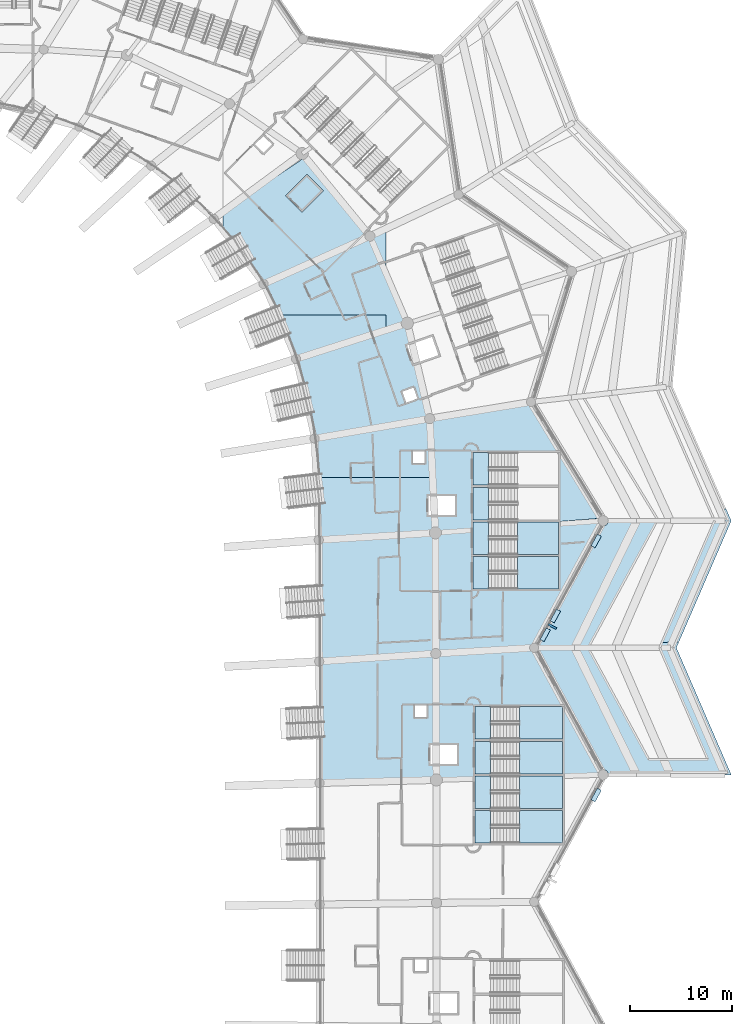
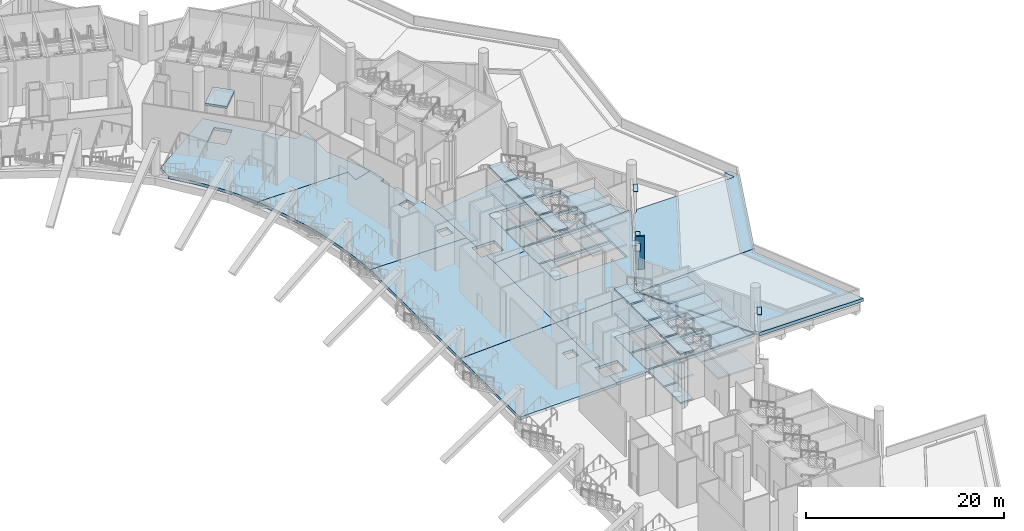
# One storey, part 37 of 173: 46 slabs, 5 plates, 8 elements without a shape of their own.
"""IFC4 building model written with IfcOpenShell, lengths in metres."""

from ifc_helpers import new_model, si_unit, direction, frame, origin, origin_2d, place, context, subcontext, project, spatial, polyline, rectangle, outline, extrude, material, layer, layer_set, type_object, element, aggregate, save


model = new_model("IFC4")

# Units and contexts
model_context = context("Model", 3, precision=1e-05, world=origin(), true_north=direction((0.0, 1.0)))
body_context = subcontext(model_context, "Body", "Model", "MODEL_VIEW")
ifc_project = project(units=[si_unit("LENGTHUNIT", "METRE"), si_unit("AREAUNIT", "SQUARE_METRE"), si_unit("VOLUMEUNIT", "CUBIC_METRE"), si_unit("PLANEANGLEUNIT", "RADIAN"), si_unit("MASSUNIT", "GRAM", prefix="KILO")], contexts=[model_context])

# Site, building, storey
site_placement = place(None, origin())
site = spatial("IfcSite", under=ifc_project, at=site_placement, CompositionType="ELEMENT")
building_placement = place(site_placement, origin())
building = spatial("IfcBuilding", under=site, at=building_placement, Name="Meseta Stadium", CompositionType="ELEMENT")
storey_placement = place(building_placement, frame((0.0, 0.0, 18.0)))
storey = spatial("IfcBuildingStorey", under=building, at=storey_placement, Name="L03", CompositionType="ELEMENT", Elevation=18.0)

# Slabs
ifc_material_1 = material(Name="Concrete C40/50", Category="concrete")
ifc_layer_1 = layer(ifc_material_1, 0.25)
ifc_layer_set_1 = layer_set([ifc_layer_1], Name="Core roof slab 250")
slab_type_1 = type_object("IfcSlabType", Name="Core roof slab 250", PredefinedType="ROOF", material=ifc_layer_set_1)
slab_1_placement = place(storey_placement, frame((0.0, 0.0, 4.60009765625)))
element("IfcSlab", 1, at=slab_1_placement, inside=storey, type_object=slab_type_1, Name="Core 07 lift overrun roof", PredefinedType="ROOF", context=body_context, shape_type="SweptSolid", body=[
    extrude(outline(polyline([(73.867431640625, 76.2412109375), (71.74609375, 74.119873046875), (70.119873046875, 75.74609375), (72.2412109375, 77.867431640625), (73.867431640625, 76.2412109375)])), origin(), (0.0, 0.0, 1.0), 0.25),
])
ifc_material_2 = material(Name="Concrete C40/50", Category="concrete")
ifc_layer_2 = layer(ifc_material_2, 0.35009765625)
ifc_layer_set_2 = layer_set([ifc_layer_2], Name="Floor slab 350")
slab_type_2 = type_object("IfcSlabType", Name="Floor slab 350", PredefinedType="FLOOR", material=ifc_layer_set_2)
slab_2_placement = place(storey_placement, frame((0.0, 0.0, -0.35009765625)))
element("IfcSlab", 2, at=slab_2_placement, inside=storey, type_object=slab_type_2, Name="Floor slab L03 sector 00 panel 02", PredefinedType="FLOOR", context=body_context, shape_type="SweptSolid", body=[
    extrude(outline(polyline([(84.39990234375, 21.699951171875), (84.9638671875, 21.699951171875), (84.926025390625, 30.523193359375), (73.451416015625, 29.89404296875), (73.46875, 23.924072265625), (73.482421875, 17.943603515625), (84.978515625, 18.24365234375), (84.971923828125, 19.800048828125), (84.39990234375, 19.800048828125), (84.39990234375, 21.699951171875)]), holes=[polyline([(84.050048828125, 25.60009765625), (84.050048828125, 24.39990234375), (82.85009765625, 24.39990234375), (82.85009765625, 25.60009765625), (84.050048828125, 25.60009765625)])]), origin(), (0.0, 0.0, 1.0), 0.35009765625),
])
slab_3_placement = place(storey_placement, frame((0.0, 0.0, -0.35009765625)))
element("IfcSlab", 3, at=slab_3_placement, inside=storey, type_object=slab_type_2, Name="Floor slab L03 sector 00 panel 12", PredefinedType="FLOOR", context=body_context, shape_type="SweptSolid", body=[
    extrude(outline(polyline([(94.70361328125, 31.059326171875), (84.926025390625, 30.523193359375), (84.9638671875, 21.699951171875), (87.0, 21.699951171875), (87.0, 19.800048828125), (84.971923828125, 19.800048828125), (84.978271484375, 18.32177734375), (88.800048828125, 18.447509765625), (88.800048828125, 18.64990234375), (94.9599609375, 18.64990234375), (101.340087890625, 18.85986328125), (94.70361328125, 31.059326171875)]), holes=[polyline([(97.39990234375, 18.85009765625), (88.800048828125, 18.85009765625), (88.800048828125, 22.050048828125), (97.39990234375, 22.050048828125), (97.39990234375, 18.85009765625)]), polyline([(88.800048828125, 22.25), (88.800048828125, 25.449951171875), (97.39990234375, 25.449951171875), (97.39990234375, 22.25), (88.800048828125, 22.25)])]), origin(), (0.0, 0.0, 1.0), 0.35009765625),
])
slab_4_placement = place(storey_placement, frame((0.0, 0.0, -0.35009765625)))
element("IfcSlab", 4, at=slab_4_placement, inside=storey, type_object=slab_type_2, Name="Floor slab L03 sector 07 panel 04", PredefinedType="FLOOR", context=body_context, shape_type="SweptSolid", body=[
    extrude(outline(polyline([(69.494384765625, 64.0), (80.0, 64.0), (80.0, 62.44580078125), (82.137451171875, 63.115966796875), (82.119873046875, 63.191162109375), (80.0, 68.13232421875), (80.0, 72.48828125), (78.4453125, 71.756103515625), (72.06103515625, 79.54052734375), (64.0, 74.098876953125), (64.0, 72.451904296875), (64.85400390625, 71.450927734375), (65.69189453125, 70.39501953125), (66.491455078125, 69.31005859375), (67.251953125, 68.197021484375), (67.972412109375, 67.057861328125), (68.610595703125, 65.875), (69.19580078125, 64.66650390625), (69.494384765625, 64.0)]), holes=[polyline([(73.584716796875, 76.2412109375), (71.74609375, 74.402587890625), (70.402587890625, 75.74609375), (72.2412109375, 77.584716796875), (73.584716796875, 76.2412109375)])]), origin(), (0.0, 0.0, 1.0), 0.35009765625),
])
slab_5_placement = place(storey_placement, frame((0.0, 0.0, -0.35009765625)))
element("IfcSlab", 5, at=slab_5_placement, inside=storey, type_object=slab_type_2, Name="Floor slab L03 sector 07 panel 05", PredefinedType="FLOOR", context=body_context, shape_type="SweptSolid", body=[
    extrude(outline(polyline([(69.494384765625, 64.0), (69.74462890625, 63.441162109375), (70.2568359375, 62.20068359375), (70.73193359375, 60.945556640625), (71.169677734375, 59.67724609375), (71.569580078125, 58.396484375), (71.931396484375, 57.104736328125), (72.2548828125, 55.802978515625), (72.539794921875, 54.491943359375), (72.785400390625, 53.1728515625), (72.9921875, 51.84716796875), (73.15966796875, 50.515625), (73.287353515625, 49.1796875), (73.365234375, 48.0), (84.613525390625, 48.0), (84.3251953125, 53.801513671875), (83.032958984375, 59.30322265625), (82.723876953125, 59.195068359375), (82.09619140625, 60.988525390625), (82.59619140625, 61.163330078125), (82.137451171875, 63.115966796875), (80.0, 62.44580078125), (80.0, 64.0), (69.494384765625, 64.0)]), holes=[polyline([(82.74267578125, 56.870849609375), (83.138916015625, 55.73828125), (82.006103515625, 55.341796875), (81.60986328125, 56.474609375), (82.74267578125, 56.870849609375)]), polyline([(83.85009765625, 49.39990234375), (82.64990234375, 49.39990234375), (82.64990234375, 50.60009765625), (83.85009765625, 50.60009765625), (83.85009765625, 49.39990234375)])]), origin(), (0.0, 0.0, 1.0), 0.35009765625),
])
slab_6_placement = place(storey_placement, frame((0.0, 0.0, -0.35009765625)))
element("IfcSlab", 6, at=slab_6_placement, inside=storey, type_object=slab_type_2, Name="Floor slab L03 sector 07 panel 07", PredefinedType="FLOOR", context=body_context, shape_type="SweptSolid", body=[
    extrude(outline(polyline([(73.365234375, 48.0), (73.375732421875, 47.840087890625), (73.40478515625, 41.8623046875), (73.421875, 37.87646484375), (73.451416015625, 29.9140625), (84.92578125, 30.543212890625), (84.884033203125, 42.5615234375), (84.797607421875, 44.300048828125), (84.199951171875, 44.300048828125), (84.199951171875, 46.199951171875), (84.703125, 46.199951171875), (84.613525390625, 48.0), (73.365234375, 48.0)])), origin(), (0.0, 0.0, 1.0), 0.35009765625),
])
slab_7_placement = place(storey_placement, frame((0.0, 0.0, -0.35009765625)))
element("IfcSlab", 7, at=slab_7_placement, inside=storey, type_object=slab_type_2, Name="Floor slab L03 sector 07 panel 11", PredefinedType="FLOOR", context=body_context, shape_type="SweptSolid", body=[
    extrude(outline(polyline([(101.24853515625, 43.999267578125), (94.29443359375, 55.44140625), (84.3251953125, 53.801513671875), (84.703125, 46.199951171875), (86.800048828125, 46.199951171875), (86.800048828125, 44.300048828125), (84.797607421875, 44.300048828125), (84.875, 42.74267578125), (88.60009765625, 43.028564453125), (88.60009765625, 43.64990234375), (96.697021484375, 43.64990234375), (101.24853515625, 43.999267578125)]), holes=[polyline([(88.60009765625, 50.449951171875), (97.0, 50.449951171875), (97.0, 47.25), (88.60009765625, 47.25), (88.60009765625, 50.449951171875)]), polyline([(88.60009765625, 43.85009765625), (88.60009765625, 47.050048828125), (97.0, 47.050048828125), (97.0, 43.85009765625), (88.60009765625, 43.85009765625)])]), origin(), (0.0, 0.0, 1.0), 0.35009765625),
])
slab_8_placement = place(storey_placement, frame((0.0, 0.0, -0.35009765625)))
element("IfcSlab", 8, at=slab_8_placement, inside=storey, type_object=slab_type_2, Name="Floor slab L03 sector 07 panel 12", PredefinedType="FLOOR", context=body_context, shape_type="SweptSolid", body=[
    extrude(outline(polyline([(84.884033203125, 42.5615234375), (84.92578125, 30.543212890625), (94.693115234375, 31.07861328125), (94.60009765625, 31.25), (101.39990234375, 43.75), (101.24853515625, 43.999267578125), (96.697021484375, 43.64990234375), (97.0, 43.64990234375), (97.0, 40.449951171875), (88.60009765625, 40.449951171875), (88.60009765625, 43.028564453125), (84.875, 42.74267578125), (84.884033203125, 42.5615234375)]), holes=[polyline([(88.60009765625, 37.050048828125), (88.60009765625, 40.25), (97.0, 40.25), (97.0, 37.050048828125), (88.60009765625, 37.050048828125)])]), origin(), (0.0, 0.0, 1.0), 0.35009765625),
])

# Plates
ifc_material_3 = material(Name="White precast concrete C40/50", Category="concrete")
ifc_layer_3 = layer(ifc_material_3, 0.080078125)
ifc_layer_set_3 = layer_set([ifc_layer_3], Name="Louvre hood 1300x450")
plate_type_1 = type_object("IfcPlateType", Name="Louvre hood 1300x450", PredefinedType="USERDEFINED", material=ifc_layer_set_3)
for number, where, z_axis, x_axis, name in (
    (9, (100.713623046875, 16.755615234375, 4.25), (0.0, 0.0, 1.0), (0.477867090202, 0.878432151109, 0.0), "Louvre hood L03 F05"),
    (10, (95.696044921875, 32.5322265625, 4.25), (0.0, 0.0, 1.0), (0.477867090202, 0.878432151109, 0.0), "Louvre hood L03 F07"),
    (11, (96.699462890625, 34.376953125, 4.25), (0.0, 0.0, 1.0), (0.477867090202, 0.878432151109, 0.0), "Louvre hood L03 F07"),
    (12, (100.713623046875, 41.755615234375, 4.25), (0.0, 0.0, 1.0), (0.477867090202, 0.878432151109, 0.0), "Louvre hood L03 F07"),
):
    element("IfcPlate", number, at=place(storey_placement, frame(where, z_axis=z_axis, x_axis=x_axis)), inside=storey, type_object=plate_type_1, Name=name, ObjectType="LOUVRE", PredefinedType="USERDEFINED", context=body_context, shape_type="SweptSolid", body=[
        extrude(rectangle(XDim=1.300048828125, YDim=0.449951171875, at=origin_2d()), origin(), (0.0, 0.0, 1.0), 0.080078125),
    ])
ifc_material_4 = material(Name="Precast concrete C40/50, terracotta pigment", Category="masonry")
ifc_layer_4 = layer(ifc_material_4, 0.199951171875)
ifc_layer_set_4 = layer_set([ifc_layer_4], Name="Precast concrete C40/50, terracotta pigment")
plate_type_2 = type_object("IfcPlateType", Name="Precast fin 200x900", PredefinedType="USERDEFINED", material=ifc_layer_set_4)
plate_placement = place(storey_placement, frame((96.395263671875, 33.346923828125, 0.9501953125), z_axis=(0.0, 0.0, 1.0), x_axis=(-0.47786723231, -0.878432073802, 0.0)))
element("IfcPlate", 13, at=plate_placement, inside=storey, type_object=plate_type_2, Name="Precast fin L03 F07.2", ObjectType="FIN", PredefinedType="USERDEFINED", context=body_context, shape_type="SweptSolid", body=[
    extrude(rectangle(XDim=0.199951171875, YDim=0.89990234375, at=origin_2d()), origin(), (0.0, 0.0, 1.0), 4.050048828125),
])

# Slabs
ifc_material_5 = material(Name="Concrete C40/50", Category="concrete")
ifc_layer_5 = layer(ifc_material_5, 0.39990234375)
ifc_layer_set_5 = layer_set([ifc_layer_5], Name="Roof garden slab 400")
slab_type_3 = type_object("IfcSlabType", Name="Roof garden slab 400", PredefinedType="ROOF", material=ifc_layer_set_5)
slab_9_placement = place(storey_placement, frame((0.0, 0.0, -0.39990234375)))
element("IfcSlab", 14, at=slab_9_placement, inside=storey, type_object=slab_type_3, Name="Roof garden slab 1 part 1 panel 08", PredefinedType="ROOF", context=body_context, shape_type="SweptSolid", body=[
    extrude(outline(polyline([(101.652099609375, 43.313232421875), (101.530517578125, 43.262939453125), (101.39990234375, 43.24560546875), (101.30322265625, 43.25830078125), (94.935302734375, 31.55224609375), (94.9931640625, 31.476806640625), (95.038330078125, 31.367431640625), (95.053955078125, 31.25), (95.038330078125, 31.132568359375), (95.023681640625, 31.0966796875), (108.861572265625, 31.85546875), (114.0, 43.75), (113.480712890625, 44.938232421875), (112.898193359375, 44.8935546875), (113.39990234375, 43.75), (101.904296875, 43.75), (101.88720703125, 43.619384765625), (101.836669921875, 43.497802734375), (101.756591796875, 43.393310546875), (101.652099609375, 43.313232421875)])), origin(), (0.0, 0.0, 1.0), 0.39990234375),
])
slab_10_placement = place(storey_placement, frame((0.0, 0.0, -0.39990234375)))
element("IfcSlab", 15, at=slab_10_placement, inside=storey, type_object=slab_type_3, Name="Roof garden slab 1 part 2", PredefinedType="ROOF", context=body_context, shape_type="SweptSolid", body=[
    extrude(outline(polyline([(108.60009765625, 31.25), (108.852783203125, 31.8349609375), (95.01513671875, 31.076416015625), (94.9931640625, 31.023193359375), (94.935302734375, 30.94775390625), (101.30322265625, 19.24169921875), (101.39990234375, 19.25439453125), (101.530517578125, 19.237060546875), (101.652099609375, 19.186767578125), (101.756591796875, 19.106689453125), (101.836669921875, 19.002197265625), (101.88720703125, 18.880615234375), (101.904296875, 18.75), (114.0, 18.75), (108.60009765625, 31.25)])), origin(), (0.0, 0.0, 1.0), 0.39990234375),
])

# Stair, slabs
ifc_material_6 = material(Name="Concrete C40/50", Category="concrete")
stair_type = type_object("IfcStairType", Name="Exit stair 4 flights 150 mm risers", PredefinedType="HALF_TURN_STAIR", material=ifc_material_6)
stair_1_placement = place(storey_placement, origin())
stair_1 = element("IfcStair", 16, at=stair_1_placement, inside=storey, type_object=stair_type, Name="ST13 L03", PredefinedType="HALF_TURN_STAIR")
ifc_material_7 = material(Name="Concrete C40/50", Category="concrete")
ifc_layer_6 = layer(ifc_material_7, 0.199951171875)
ifc_layer_set_6 = layer_set([ifc_layer_6], Name="Stair landing 200")
slab_type_4 = type_object("IfcSlabType", Name="Stair landing 200", PredefinedType="LANDING", material=ifc_layer_set_6)
slab_11_placement = place(storey_placement, frame((0.0, 0.0, 1.300048828125)))
slab_11 = element("IfcSlab", 17, at=slab_11_placement, type_object=slab_type_4, Name="ST13 L03 landing 1", PredefinedType="LANDING", context=body_context, shape_type="SweptSolid", body=[
    extrude(outline(polyline([(93.169921875, 12.050048828125), (97.39990234375, 12.050048828125), (97.39990234375, 15.25), (93.169921875, 15.25), (93.169921875, 12.050048828125)])), origin(), (0.0, 0.0, 1.0), 0.199951171875),
])
slab_12_placement = place(storey_placement, frame((0.0, 0.0, 2.800048828125)))
slab_12 = element("IfcSlab", 18, at=slab_12_placement, type_object=slab_type_4, Name="ST13 L03 landing 2", PredefinedType="LANDING", context=body_context, shape_type="SweptSolid", body=[
    extrude(outline(polyline([(88.800048828125, 12.050048828125), (90.31005859375, 12.050048828125), (90.31005859375, 15.25), (88.800048828125, 15.25), (88.800048828125, 12.050048828125)])), origin(), (0.0, 0.0, 1.0), 0.199951171875),
])
slab_13_placement = place(storey_placement, frame((0.0, 0.0, 4.300048828125)))
slab_13 = element("IfcSlab", 19, at=slab_13_placement, type_object=slab_type_4, Name="ST13 L03 landing 3", PredefinedType="LANDING", context=body_context, shape_type="SweptSolid", body=[
    extrude(outline(polyline([(93.169921875, 12.050048828125), (97.39990234375, 12.050048828125), (97.39990234375, 15.25), (93.169921875, 15.25), (93.169921875, 12.050048828125)])), origin(), (0.0, 0.0, 1.0), 0.199951171875),
])
slab_14_placement = place(storey_placement, frame((0.0, 0.0, -0.199951171875)))
slab_14 = element("IfcSlab", 20, at=slab_14_placement, type_object=slab_type_4, Name="ST13 L03 landing 4", PredefinedType="LANDING", context=body_context, shape_type="SweptSolid", body=[
    extrude(outline(polyline([(88.800048828125, 12.050048828125), (90.31005859375, 12.050048828125), (90.31005859375, 15.25), (88.800048828125, 15.25), (88.800048828125, 12.050048828125)])), origin(), (0.0, 0.0, 1.0), 0.199951171875),
])
slab_15_placement = place(storey_placement, frame((0.0, 0.0, 5.800048828125)))
slab_15 = element("IfcSlab", 21, at=slab_15_placement, type_object=slab_type_4, Name="ST13 L03 landing 5", PredefinedType="LANDING", context=body_context, shape_type="SweptSolid", body=[
    extrude(outline(polyline([(88.800048828125, 12.050048828125), (90.31005859375, 12.050048828125), (90.31005859375, 15.25), (88.800048828125, 15.25), (88.800048828125, 12.050048828125)])), origin(), (0.0, 0.0, 1.0), 0.199951171875),
])
aggregate(stair_1, [slab_11, slab_12, slab_13, slab_14, slab_15])

stair_2_placement = place(storey_placement, origin())
stair_2 = element("IfcStair", 22, at=stair_2_placement, inside=storey, type_object=stair_type, Name="ST14 L03", PredefinedType="HALF_TURN_STAIR")
slab_16_placement = place(storey_placement, frame((0.0, 0.0, 1.300048828125)))
slab_16 = element("IfcSlab", 23, at=slab_16_placement, type_object=slab_type_4, Name="ST14 L03 landing 1", PredefinedType="LANDING", context=body_context, shape_type="SweptSolid", body=[
    extrude(outline(polyline([(93.169921875, 15.449951171875), (97.39990234375, 15.449951171875), (97.39990234375, 18.64990234375), (93.169921875, 18.64990234375), (93.169921875, 15.449951171875)])), origin(), (0.0, 0.0, 1.0), 0.199951171875),
])
slab_17_placement = place(storey_placement, frame((0.0, 0.0, 2.800048828125)))
slab_17 = element("IfcSlab", 24, at=slab_17_placement, type_object=slab_type_4, Name="ST14 L03 landing 2", PredefinedType="LANDING", context=body_context, shape_type="SweptSolid", body=[
    extrude(outline(polyline([(88.800048828125, 15.449951171875), (90.31005859375, 15.449951171875), (90.31005859375, 18.64990234375), (88.800048828125, 18.64990234375), (88.800048828125, 15.449951171875)])), origin(), (0.0, 0.0, 1.0), 0.199951171875),
])
slab_18_placement = place(storey_placement, frame((0.0, 0.0, 4.300048828125)))
slab_18 = element("IfcSlab", 25, at=slab_18_placement, type_object=slab_type_4, Name="ST14 L03 landing 3", PredefinedType="LANDING", context=body_context, shape_type="SweptSolid", body=[
    extrude(outline(polyline([(93.169921875, 15.449951171875), (97.39990234375, 15.449951171875), (97.39990234375, 18.64990234375), (93.169921875, 18.64990234375), (93.169921875, 15.449951171875)])), origin(), (0.0, 0.0, 1.0), 0.199951171875),
])
slab_19_placement = place(storey_placement, frame((0.0, 0.0, -0.199951171875)))
slab_19 = element("IfcSlab", 26, at=slab_19_placement, type_object=slab_type_4, Name="ST14 L03 landing 4", PredefinedType="LANDING", context=body_context, shape_type="SweptSolid", body=[
    extrude(outline(polyline([(88.800048828125, 15.449951171875), (90.31005859375, 15.449951171875), (90.31005859375, 18.64990234375), (88.800048828125, 18.64990234375), (88.800048828125, 15.449951171875)])), origin(), (0.0, 0.0, 1.0), 0.199951171875),
])
slab_20_placement = place(storey_placement, frame((0.0, 0.0, 5.800048828125)))
slab_20 = element("IfcSlab", 27, at=slab_20_placement, type_object=slab_type_4, Name="ST14 L03 landing 5", PredefinedType="LANDING", context=body_context, shape_type="SweptSolid", body=[
    extrude(outline(polyline([(88.800048828125, 15.449951171875), (90.31005859375, 15.449951171875), (90.31005859375, 18.64990234375), (88.800048828125, 18.64990234375), (88.800048828125, 15.449951171875)])), origin(), (0.0, 0.0, 1.0), 0.199951171875),
])
aggregate(stair_2, [slab_16, slab_17, slab_18, slab_19, slab_20])

stair_3_placement = place(storey_placement, origin())
stair_3 = element("IfcStair", 28, at=stair_3_placement, inside=storey, type_object=stair_type, Name="ST15 L03", PredefinedType="HALF_TURN_STAIR")
slab_21_placement = place(storey_placement, frame((0.0, 0.0, 1.300048828125)))
slab_21 = element("IfcSlab", 29, at=slab_21_placement, type_object=slab_type_4, Name="ST15 L03 landing 1", PredefinedType="LANDING", context=body_context, shape_type="SweptSolid", body=[
    extrude(outline(polyline([(93.169921875, 18.85009765625), (97.39990234375, 18.85009765625), (97.39990234375, 22.050048828125), (93.169921875, 22.050048828125), (93.169921875, 18.85009765625)])), origin(), (0.0, 0.0, 1.0), 0.199951171875),
])
slab_22_placement = place(storey_placement, frame((0.0, 0.0, 2.800048828125)))
slab_22 = element("IfcSlab", 30, at=slab_22_placement, type_object=slab_type_4, Name="ST15 L03 landing 2", PredefinedType="LANDING", context=body_context, shape_type="SweptSolid", body=[
    extrude(outline(polyline([(88.800048828125, 18.85009765625), (90.31005859375, 18.85009765625), (90.31005859375, 22.050048828125), (88.800048828125, 22.050048828125), (88.800048828125, 18.85009765625)])), origin(), (0.0, 0.0, 1.0), 0.199951171875),
])
slab_23_placement = place(storey_placement, frame((0.0, 0.0, 4.300048828125)))
slab_23 = element("IfcSlab", 31, at=slab_23_placement, type_object=slab_type_4, Name="ST15 L03 landing 3", PredefinedType="LANDING", context=body_context, shape_type="SweptSolid", body=[
    extrude(outline(polyline([(93.169921875, 18.85009765625), (97.39990234375, 18.85009765625), (97.39990234375, 22.050048828125), (93.169921875, 22.050048828125), (93.169921875, 18.85009765625)])), origin(), (0.0, 0.0, 1.0), 0.199951171875),
])
slab_24_placement = place(storey_placement, frame((0.0, 0.0, -0.199951171875)))
slab_24 = element("IfcSlab", 32, at=slab_24_placement, type_object=slab_type_4, Name="ST15 L03 landing 4", PredefinedType="LANDING", context=body_context, shape_type="SweptSolid", body=[
    extrude(outline(polyline([(88.800048828125, 18.85009765625), (90.31005859375, 18.85009765625), (90.31005859375, 22.050048828125), (88.800048828125, 22.050048828125), (88.800048828125, 18.85009765625)])), origin(), (0.0, 0.0, 1.0), 0.199951171875),
])
slab_25_placement = place(storey_placement, frame((0.0, 0.0, 5.800048828125)))
slab_25 = element("IfcSlab", 33, at=slab_25_placement, type_object=slab_type_4, Name="ST15 L03 landing 5", PredefinedType="LANDING", context=body_context, shape_type="SweptSolid", body=[
    extrude(outline(polyline([(88.800048828125, 18.85009765625), (90.31005859375, 18.85009765625), (90.31005859375, 22.050048828125), (88.800048828125, 22.050048828125), (88.800048828125, 18.85009765625)])), origin(), (0.0, 0.0, 1.0), 0.199951171875),
])
aggregate(stair_3, [slab_21, slab_22, slab_23, slab_24, slab_25])

stair_4_placement = place(storey_placement, origin())
stair_4 = element("IfcStair", 34, at=stair_4_placement, inside=storey, type_object=stair_type, Name="ST16 L03", PredefinedType="HALF_TURN_STAIR")
slab_26_placement = place(storey_placement, frame((0.0, 0.0, 1.300048828125)))
slab_26 = element("IfcSlab", 35, at=slab_26_placement, type_object=slab_type_4, Name="ST16 L03 landing 1", PredefinedType="LANDING", context=body_context, shape_type="SweptSolid", body=[
    extrude(outline(polyline([(93.169921875, 22.25), (97.39990234375, 22.25), (97.39990234375, 25.449951171875), (93.169921875, 25.449951171875), (93.169921875, 22.25)])), origin(), (0.0, 0.0, 1.0), 0.199951171875),
])
slab_27_placement = place(storey_placement, frame((0.0, 0.0, 2.800048828125)))
slab_27 = element("IfcSlab", 36, at=slab_27_placement, type_object=slab_type_4, Name="ST16 L03 landing 2", PredefinedType="LANDING", context=body_context, shape_type="SweptSolid", body=[
    extrude(outline(polyline([(88.800048828125, 22.25), (90.31005859375, 22.25), (90.31005859375, 25.449951171875), (88.800048828125, 25.449951171875), (88.800048828125, 22.25)])), origin(), (0.0, 0.0, 1.0), 0.199951171875),
])
slab_28_placement = place(storey_placement, frame((0.0, 0.0, 4.300048828125)))
slab_28 = element("IfcSlab", 37, at=slab_28_placement, type_object=slab_type_4, Name="ST16 L03 landing 3", PredefinedType="LANDING", context=body_context, shape_type="SweptSolid", body=[
    extrude(outline(polyline([(93.169921875, 22.25), (97.39990234375, 22.25), (97.39990234375, 25.449951171875), (93.169921875, 25.449951171875), (93.169921875, 22.25)])), origin(), (0.0, 0.0, 1.0), 0.199951171875),
])
slab_29_placement = place(storey_placement, frame((0.0, 0.0, -0.199951171875)))
slab_29 = element("IfcSlab", 38, at=slab_29_placement, type_object=slab_type_4, Name="ST16 L03 landing 4", PredefinedType="LANDING", context=body_context, shape_type="SweptSolid", body=[
    extrude(outline(polyline([(88.800048828125, 22.25), (90.31005859375, 22.25), (90.31005859375, 25.449951171875), (88.800048828125, 25.449951171875), (88.800048828125, 22.25)])), origin(), (0.0, 0.0, 1.0), 0.199951171875),
])
slab_30_placement = place(storey_placement, frame((0.0, 0.0, 5.800048828125)))
slab_30 = element("IfcSlab", 39, at=slab_30_placement, type_object=slab_type_4, Name="ST16 L03 landing 5", PredefinedType="LANDING", context=body_context, shape_type="SweptSolid", body=[
    extrude(outline(polyline([(88.800048828125, 22.25), (90.31005859375, 22.25), (90.31005859375, 25.449951171875), (88.800048828125, 25.449951171875), (88.800048828125, 22.25)])), origin(), (0.0, 0.0, 1.0), 0.199951171875),
])
aggregate(stair_4, [slab_26, slab_27, slab_28, slab_29, slab_30])

stair_5_placement = place(storey_placement, origin())
stair_5 = element("IfcStair", 40, at=stair_5_placement, inside=storey, type_object=stair_type, Name="ST17 L03", PredefinedType="HALF_TURN_STAIR")
slab_31_placement = place(storey_placement, frame((0.0, 0.0, 1.300048828125)))
slab_31 = element("IfcSlab", 41, at=slab_31_placement, type_object=slab_type_4, Name="ST17 L03 landing 1", PredefinedType="LANDING", context=body_context, shape_type="SweptSolid", body=[
    extrude(outline(polyline([(92.969970703125, 37.050048828125), (97.0, 37.050048828125), (97.0, 40.25), (92.969970703125, 40.25), (92.969970703125, 37.050048828125)])), origin(), (0.0, 0.0, 1.0), 0.199951171875),
])
slab_32_placement = place(storey_placement, frame((0.0, 0.0, 2.800048828125)))
slab_32 = element("IfcSlab", 42, at=slab_32_placement, type_object=slab_type_4, Name="ST17 L03 landing 2", PredefinedType="LANDING", context=body_context, shape_type="SweptSolid", body=[
    extrude(outline(polyline([(88.60009765625, 37.050048828125), (90.110107421875, 37.050048828125), (90.110107421875, 40.25), (88.60009765625, 40.25), (88.60009765625, 37.050048828125)])), origin(), (0.0, 0.0, 1.0), 0.199951171875),
])
slab_33_placement = place(storey_placement, frame((0.0, 0.0, 4.300048828125)))
slab_33 = element("IfcSlab", 43, at=slab_33_placement, type_object=slab_type_4, Name="ST17 L03 landing 3", PredefinedType="LANDING", context=body_context, shape_type="SweptSolid", body=[
    extrude(outline(polyline([(92.969970703125, 37.050048828125), (97.0, 37.050048828125), (97.0, 40.25), (92.969970703125, 40.25), (92.969970703125, 37.050048828125)])), origin(), (0.0, 0.0, 1.0), 0.199951171875),
])
slab_34_placement = place(storey_placement, frame((0.0, 0.0, -0.199951171875)))
slab_34 = element("IfcSlab", 44, at=slab_34_placement, type_object=slab_type_4, Name="ST17 L03 landing 4", PredefinedType="LANDING", context=body_context, shape_type="SweptSolid", body=[
    extrude(outline(polyline([(88.60009765625, 37.050048828125), (90.110107421875, 37.050048828125), (90.110107421875, 40.25), (88.60009765625, 40.25), (88.60009765625, 37.050048828125)])), origin(), (0.0, 0.0, 1.0), 0.199951171875),
])
slab_35_placement = place(storey_placement, frame((0.0, 0.0, 5.800048828125)))
slab_35 = element("IfcSlab", 45, at=slab_35_placement, type_object=slab_type_4, Name="ST17 L03 landing 5", PredefinedType="LANDING", context=body_context, shape_type="SweptSolid", body=[
    extrude(outline(polyline([(88.60009765625, 37.050048828125), (90.110107421875, 37.050048828125), (90.110107421875, 40.25), (88.60009765625, 40.25), (88.60009765625, 37.050048828125)])), origin(), (0.0, 0.0, 1.0), 0.199951171875),
])
aggregate(stair_5, [slab_31, slab_32, slab_33, slab_34, slab_35])

stair_6_placement = place(storey_placement, origin())
stair_6 = element("IfcStair", 46, at=stair_6_placement, inside=storey, type_object=stair_type, Name="ST18 L03", PredefinedType="HALF_TURN_STAIR")
slab_36_placement = place(storey_placement, frame((0.0, 0.0, 1.300048828125)))
slab_36 = element("IfcSlab", 47, at=slab_36_placement, type_object=slab_type_4, Name="ST18 L03 landing 1", PredefinedType="LANDING", context=body_context, shape_type="SweptSolid", body=[
    extrude(outline(polyline([(92.969970703125, 40.449951171875), (97.0, 40.449951171875), (97.0, 43.64990234375), (92.969970703125, 43.64990234375), (92.969970703125, 40.449951171875)])), origin(), (0.0, 0.0, 1.0), 0.199951171875),
])
slab_37_placement = place(storey_placement, frame((0.0, 0.0, 2.800048828125)))
slab_37 = element("IfcSlab", 48, at=slab_37_placement, type_object=slab_type_4, Name="ST18 L03 landing 2", PredefinedType="LANDING", context=body_context, shape_type="SweptSolid", body=[
    extrude(outline(polyline([(88.60009765625, 40.449951171875), (90.110107421875, 40.449951171875), (90.110107421875, 43.64990234375), (88.60009765625, 43.64990234375), (88.60009765625, 40.449951171875)])), origin(), (0.0, 0.0, 1.0), 0.199951171875),
])
slab_38_placement = place(storey_placement, frame((0.0, 0.0, 4.300048828125)))
slab_38 = element("IfcSlab", 49, at=slab_38_placement, type_object=slab_type_4, Name="ST18 L03 landing 3", PredefinedType="LANDING", context=body_context, shape_type="SweptSolid", body=[
    extrude(outline(polyline([(92.969970703125, 40.449951171875), (97.0, 40.449951171875), (97.0, 43.64990234375), (92.969970703125, 43.64990234375), (92.969970703125, 40.449951171875)])), origin(), (0.0, 0.0, 1.0), 0.199951171875),
])
slab_39_placement = place(storey_placement, frame((0.0, 0.0, -0.199951171875)))
slab_39 = element("IfcSlab", 50, at=slab_39_placement, type_object=slab_type_4, Name="ST18 L03 landing 4", PredefinedType="LANDING", context=body_context, shape_type="SweptSolid", body=[
    extrude(outline(polyline([(88.60009765625, 40.449951171875), (90.110107421875, 40.449951171875), (90.110107421875, 43.64990234375), (88.60009765625, 43.64990234375), (88.60009765625, 40.449951171875)])), origin(), (0.0, 0.0, 1.0), 0.199951171875),
])
slab_40_placement = place(storey_placement, frame((0.0, 0.0, 5.800048828125)))
slab_40 = element("IfcSlab", 51, at=slab_40_placement, type_object=slab_type_4, Name="ST18 L03 landing 5", PredefinedType="LANDING", context=body_context, shape_type="SweptSolid", body=[
    extrude(outline(polyline([(88.60009765625, 40.449951171875), (90.110107421875, 40.449951171875), (90.110107421875, 43.64990234375), (88.60009765625, 43.64990234375), (88.60009765625, 40.449951171875)])), origin(), (0.0, 0.0, 1.0), 0.199951171875),
])
aggregate(stair_6, [slab_36, slab_37, slab_38, slab_39, slab_40])

stair_7_placement = place(storey_placement, origin())
stair_7 = element("IfcStair", 52, at=stair_7_placement, inside=storey, type_object=stair_type, Name="ST19 L03", PredefinedType="HALF_TURN_STAIR")
slab_41_placement = place(storey_placement, frame((0.0, 0.0, 2.800048828125)))
slab_41 = element("IfcSlab", 53, at=slab_41_placement, type_object=slab_type_4, Name="ST19 L03 landing 2", PredefinedType="LANDING", context=body_context, shape_type="SweptSolid", body=[
    extrude(outline(polyline([(88.60009765625, 43.85009765625), (90.110107421875, 43.85009765625), (90.110107421875, 47.050048828125), (88.60009765625, 47.050048828125), (88.60009765625, 43.85009765625)])), origin(), (0.0, 0.0, 1.0), 0.199951171875),
])
slab_42_placement = place(storey_placement, frame((0.0, 0.0, -0.199951171875)))
slab_42 = element("IfcSlab", 54, at=slab_42_placement, type_object=slab_type_4, Name="ST19 L03 landing 4", PredefinedType="LANDING", context=body_context, shape_type="SweptSolid", body=[
    extrude(outline(polyline([(88.60009765625, 43.85009765625), (90.110107421875, 43.85009765625), (90.110107421875, 47.050048828125), (88.60009765625, 47.050048828125), (88.60009765625, 43.85009765625)])), origin(), (0.0, 0.0, 1.0), 0.199951171875),
])
slab_43_placement = place(storey_placement, frame((0.0, 0.0, 5.800048828125)))
slab_43 = element("IfcSlab", 55, at=slab_43_placement, type_object=slab_type_4, Name="ST19 L03 landing 5", PredefinedType="LANDING", context=body_context, shape_type="SweptSolid", body=[
    extrude(outline(polyline([(88.60009765625, 43.85009765625), (90.110107421875, 43.85009765625), (90.110107421875, 47.050048828125), (88.60009765625, 47.050048828125), (88.60009765625, 43.85009765625)])), origin(), (0.0, 0.0, 1.0), 0.199951171875),
])
aggregate(stair_7, [slab_41, slab_42, slab_43])

stair_8_placement = place(storey_placement, origin())
stair_8 = element("IfcStair", 56, at=stair_8_placement, inside=storey, type_object=stair_type, Name="ST20 L03", PredefinedType="HALF_TURN_STAIR")
slab_44_placement = place(storey_placement, frame((0.0, 0.0, 2.800048828125)))
slab_44 = element("IfcSlab", 57, at=slab_44_placement, type_object=slab_type_4, Name="ST20 L03 landing 2", PredefinedType="LANDING", context=body_context, shape_type="SweptSolid", body=[
    extrude(outline(polyline([(88.60009765625, 47.25), (90.110107421875, 47.25), (90.110107421875, 50.449951171875), (88.60009765625, 50.449951171875), (88.60009765625, 47.25)])), origin(), (0.0, 0.0, 1.0), 0.199951171875),
])
slab_45_placement = place(storey_placement, frame((0.0, 0.0, -0.199951171875)))
slab_45 = element("IfcSlab", 58, at=slab_45_placement, type_object=slab_type_4, Name="ST20 L03 landing 4", PredefinedType="LANDING", context=body_context, shape_type="SweptSolid", body=[
    extrude(outline(polyline([(88.60009765625, 47.25), (90.110107421875, 47.25), (90.110107421875, 50.449951171875), (88.60009765625, 50.449951171875), (88.60009765625, 47.25)])), origin(), (0.0, 0.0, 1.0), 0.199951171875),
])
slab_46_placement = place(storey_placement, frame((0.0, 0.0, 5.800048828125)))
slab_46 = element("IfcSlab", 59, at=slab_46_placement, type_object=slab_type_4, Name="ST20 L03 landing 5", PredefinedType="LANDING", context=body_context, shape_type="SweptSolid", body=[
    extrude(outline(polyline([(88.60009765625, 47.25), (90.110107421875, 47.25), (90.110107421875, 50.449951171875), (88.60009765625, 50.449951171875), (88.60009765625, 47.25)])), origin(), (0.0, 0.0, 1.0), 0.199951171875),
])
aggregate(stair_8, [slab_44, slab_45, slab_46])

save(model, "model.ifc")
